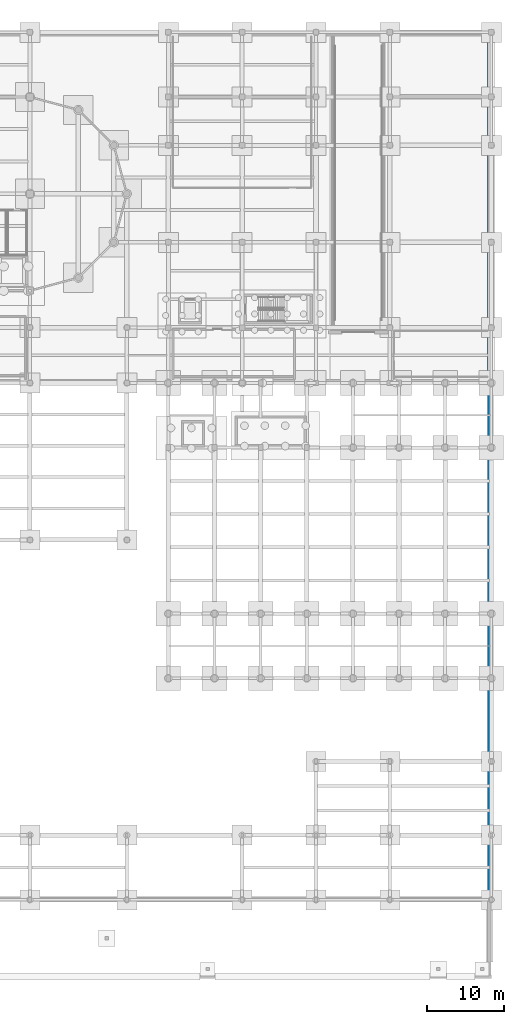
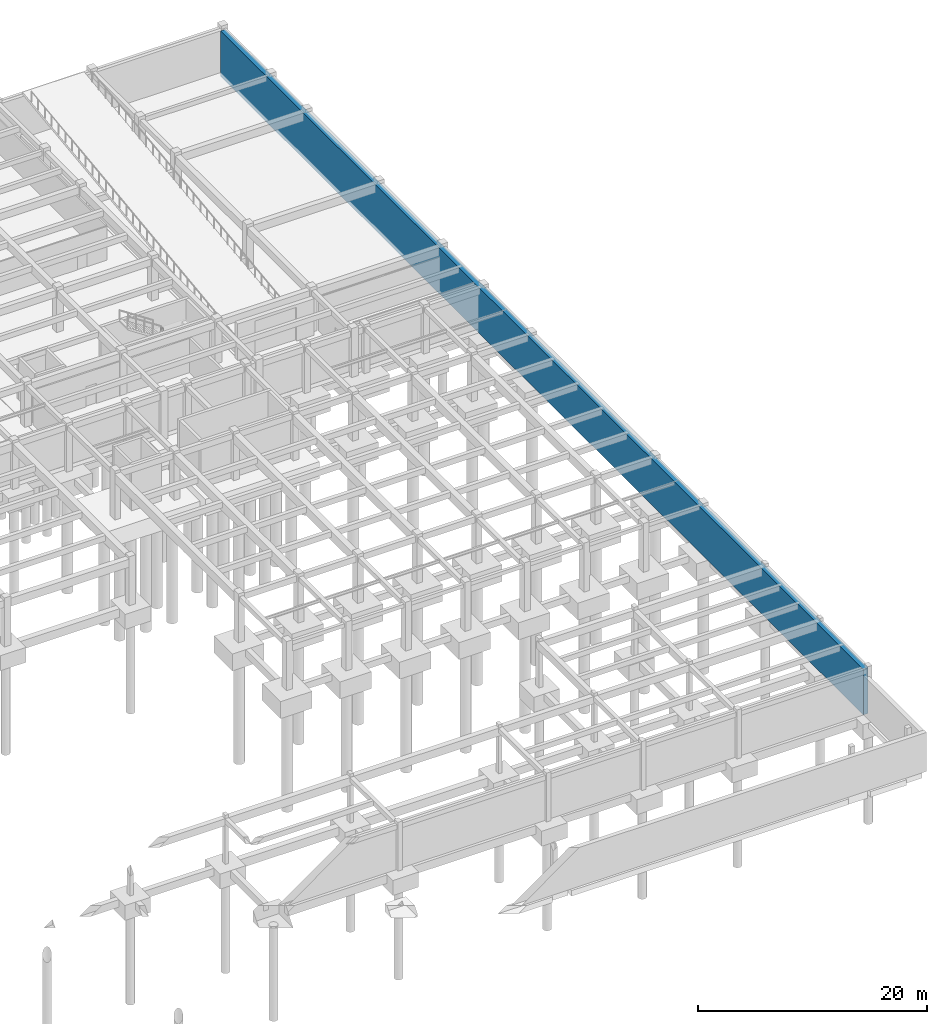
# One storey, part 27 of 37: 1 wall.
"""IFC4 building model written with IfcOpenShell, lengths in metres."""

from ifc_helpers import new_model, si_unit, direction, frame, frame_2d, origin, place, context, subcontext, project, spatial, rectangle, extrude, material, layer, layer_set, type_object, element, save


model = new_model("IFC4")

# Units and contexts
model_context = context("Model", 3, precision=1e-05, world=origin(), true_north=direction((0.0, 1.0)))
body_context = subcontext(model_context, "Body", "Model", "MODEL_VIEW")
ifc_project = project(units=[si_unit("LENGTHUNIT", "METRE"), si_unit("AREAUNIT", "SQUARE_METRE"), si_unit("VOLUMEUNIT", "CUBIC_METRE"), si_unit("PLANEANGLEUNIT", "RADIAN"), si_unit("MASSUNIT", "GRAM", prefix="KILO")], contexts=[model_context])

# Site, building, storey
site_placement = place(None, origin())
site = spatial("IfcSite", under=ifc_project, at=site_placement, CompositionType="ELEMENT")
building_placement = place(site_placement, origin())
building = spatial("IfcBuilding", under=site, at=building_placement, Name="Tarnavel Promenade Courthouse", CompositionType="ELEMENT")
storey_placement = place(building_placement, frame((0.0, 0.0, -4.800048828125)))
storey = spatial("IfcBuildingStorey", under=building, at=storey_placement, Name="B01", CompositionType="ELEMENT", Elevation=-4.800048828125)

# Wall
ifc_material = material(Name="Concrete C35/45", Category="concrete")
ifc_layer = layer(ifc_material, 0.5)
ifc_layer_set = layer_set([ifc_layer], Name="Concrete C35/45")
wall_type = type_object("IfcWallType", Name="Concrete C35/45 WL-RET-500 (500 mm)", PredefinedType="SOLIDWALL", material=ifc_layer_set)
wall_placement = place(storey_placement, frame((161.75, 112.300048828125, -0.419921875), z_axis=(0.0, 0.0, 1.0), x_axis=(0.0, -1.0, 0.0)))
element("IfcWall", 1, at=wall_placement, inside=storey, type_object=wall_type, Name="B01 East Perimeter Retaining Wall 0008", PredefinedType="SOLIDWALL", context=body_context, shape_type="SweptSolid", body=[
    extrude(rectangle(XDim=112.300048828125, YDim=0.5, at=frame_2d((56.14990234375, 0.0))), origin(), (0.0, 0.0, 1.0), 4.869873046875),
])

save(model, "model.ifc")
